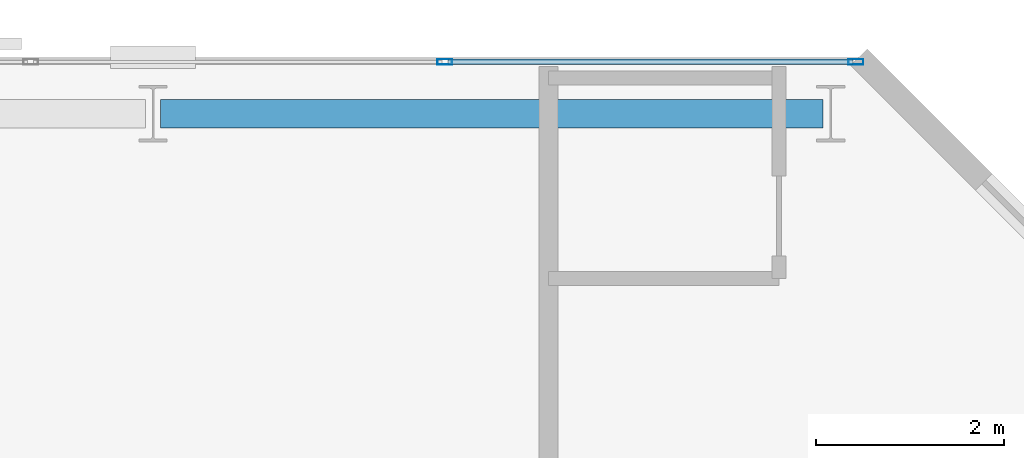
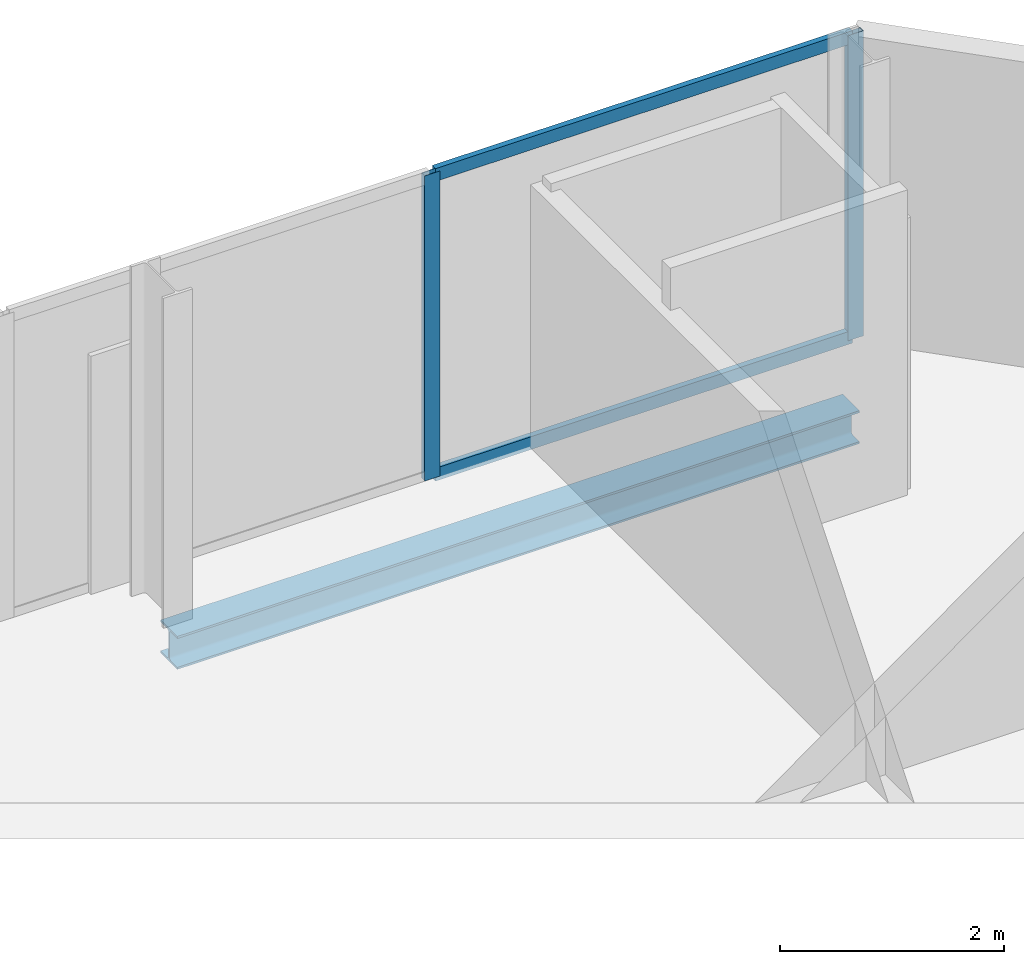
# One storey, part 25 of 33: 4 members, 1 beam, 1 element without a shape of its own.
"""IFC4 building model written with IfcOpenShell, lengths in metres."""

from ifc_helpers import new_model, si_unit, direction, frame, origin, origin_2d, place, context, subcontext, project, spatial, hollow_rectangle, i_section, extrude, material, layer, layer_set, material_profile, profile_set, type_object, element, aggregate, save


model = new_model("IFC4")

# Units and contexts
model_context = context("Model", 3, precision=1e-05, world=origin(), true_north=direction((0.0, 1.0)))
body_context = subcontext(model_context, "Body", "Model", "MODEL_VIEW")
ifc_project = project(units=[si_unit("LENGTHUNIT", "METRE"), si_unit("AREAUNIT", "SQUARE_METRE"), si_unit("VOLUMEUNIT", "CUBIC_METRE"), si_unit("PLANEANGLEUNIT", "RADIAN"), si_unit("MASSUNIT", "GRAM", prefix="KILO")], contexts=[model_context])

# Site, building, storey
site_placement = place(None, origin())
site = spatial("IfcSite", under=ifc_project, at=site_placement, CompositionType="ELEMENT")
building_placement = place(site_placement, origin())
building = spatial("IfcBuilding", under=site, at=building_placement, Name="Catumbela Crestline Tower", CompositionType="ELEMENT")
storey_placement = place(building_placement, frame((0.0, 0.0, 118.8)))
storey = spatial("IfcBuildingStorey", under=building, at=storey_placement, Name="L30", CompositionType="ELEMENT", Elevation=118.8)

# Curtain wall, members
ifc_material_1 = material(Name="Aluminium alloy AW-6060-T66", Category="aluminium")
ifc_layer = layer(ifc_material_1, 0.18, Name="Aluminium alloy AW-6060-T66")
ifc_layer_set = layer_set([ifc_layer], Name="Aluminium alloy AW-6060-T66")
curtain_wall_type = type_object("IfcCurtainWallType", Name="CWU-Z2", PredefinedType="USERDEFINED", material=ifc_layer_set)
curtain_wall_placement = place(storey_placement, origin())
curtain_wall = element("IfcCurtainWall", 1, at=curtain_wall_placement, inside=storey, type_object=curtain_wall_type, Name="L30 Unitised Curtain Wall CW-L30-E7S1", ObjectType="UNITISED", PredefinedType="USERDEFINED")
ifc_material_profile_1 = material_profile(ifc_material_1, hollow_rectangle(XDim=0.06, YDim=0.16, WallThickness=0.004, at=origin_2d()), Name="ALU 160x60x4")
ifc_profile_set_1 = profile_set([ifc_material_profile_1], Name="Aluminium alloy AW-6060-T66")
member_type_1 = type_object("IfcMemberType", Name="MUL-160X60", PredefinedType="MULLION", material=ifc_profile_set_1)
member_1_placement = place(storey_placement, frame((47.4675, 47.95, 0.0), z_axis=(0.0, 0.0, 1.0), x_axis=(0.0, -1.0, 0.0)))
member_1 = element("IfcMember", 2, at=member_1_placement, type_object=member_type_1, Name="CWU-Z2 mullion 1", PredefinedType="MULLION", context=body_context, shape_type="SweptSolid", body=[
    extrude(hollow_rectangle(XDim=0.06, YDim=0.16, WallThickness=0.004, at=origin_2d()), origin(), (0.0, 0.0, 1.0), 3.33),
])
member_2_placement = place(storey_placement, frame((43.1, 47.95, 0.0), z_axis=(0.0, 0.0, 1.0), x_axis=(0.0, -1.0, 0.0)))
member_2 = element("IfcMember", 3, at=member_2_placement, type_object=member_type_1, Name="CWU-Z2 mullion 2", PredefinedType="MULLION", context=body_context, shape_type="SweptSolid", body=[
    extrude(hollow_rectangle(XDim=0.06, YDim=0.16, WallThickness=0.004, at=origin_2d()), origin(), (0.0, 0.0, 1.0), 3.33),
])

# Beam
ifc_material_2 = material(Name="Structural steel S355J2", Category="steel")
ifc_material_profile_2 = material_profile(ifc_material_2, i_section(OverallWidth=0.3, OverallDepth=0.36, WebThickness=0.0125, FlangeThickness=0.0225, FilletRadius=0.027, at=origin_2d()), Name="HEB 360")
ifc_profile_set_2 = profile_set([ifc_material_profile_2], Name="Structural steel S355J2")
beam_type = type_object("IfcBeamType", Name="BS-HEB360", PredefinedType="SPANDREL", material=ifc_profile_set_2)
beam_placement = place(storey_placement, frame((40.08, 47.4, -0.44), z_axis=(1.0, 0.0, 0.0), x_axis=(0.0, 1.0, 0.0)))
element("IfcBeam", 4, at=beam_placement, inside=storey, type_object=beam_type, Name="L30 Spandrel SP-L30-NF21", PredefinedType="SPANDREL", context=body_context, shape_type="SweptSolid", body=[
    extrude(i_section(OverallWidth=0.3, OverallDepth=0.36, WebThickness=0.0125, FlangeThickness=0.0225, FilletRadius=0.027, at=origin_2d()), origin(), (0.0, 0.0, 1.0), 7.04),
])

# Member
ifc_material_profile_3 = material_profile(ifc_material_1, hollow_rectangle(XDim=0.06, YDim=0.14, WallThickness=0.004, at=origin_2d()), Name="ALU 140x60x4")
ifc_profile_set_3 = profile_set([ifc_material_profile_3], Name="Aluminium alloy AW-6060-T66")
member_type_2 = type_object("IfcMemberType", Name="TRN-140X60", PredefinedType="USERDEFINED", material=ifc_profile_set_3)
member_3_placement = place(storey_placement, frame((47.435, 47.95, 0.03), z_axis=(-1.0, 0.0, 0.0), x_axis=(0.0, -1.0, 0.0)))
member_3 = element("IfcMember", 5, at=member_3_placement, type_object=member_type_2, Name="CWU-Z2 transom 1.1", ObjectType="TRANSOM", PredefinedType="USERDEFINED", context=body_context, shape_type="SweptSolid", body=[
    extrude(hollow_rectangle(XDim=0.06, YDim=0.14, WallThickness=0.004, at=origin_2d()), origin(), (0.0, 0.0, 1.0), 4.3025),
])

member_4_placement = place(storey_placement, frame((47.435, 47.95, 3.3), z_axis=(-1.0, 0.0, 0.0), x_axis=(0.0, -1.0, 0.0)))
member_4 = element("IfcMember", 6, at=member_4_placement, type_object=member_type_2, Name="CWU-Z2 transom 1.2", ObjectType="TRANSOM", PredefinedType="USERDEFINED", context=body_context, shape_type="SweptSolid", body=[
    extrude(hollow_rectangle(XDim=0.06, YDim=0.14, WallThickness=0.004, at=origin_2d()), origin(), (0.0, 0.0, 1.0), 4.3025),
])

aggregate(curtain_wall, [member_1, member_2, member_3, member_4])

save(model, "model.ifc")
